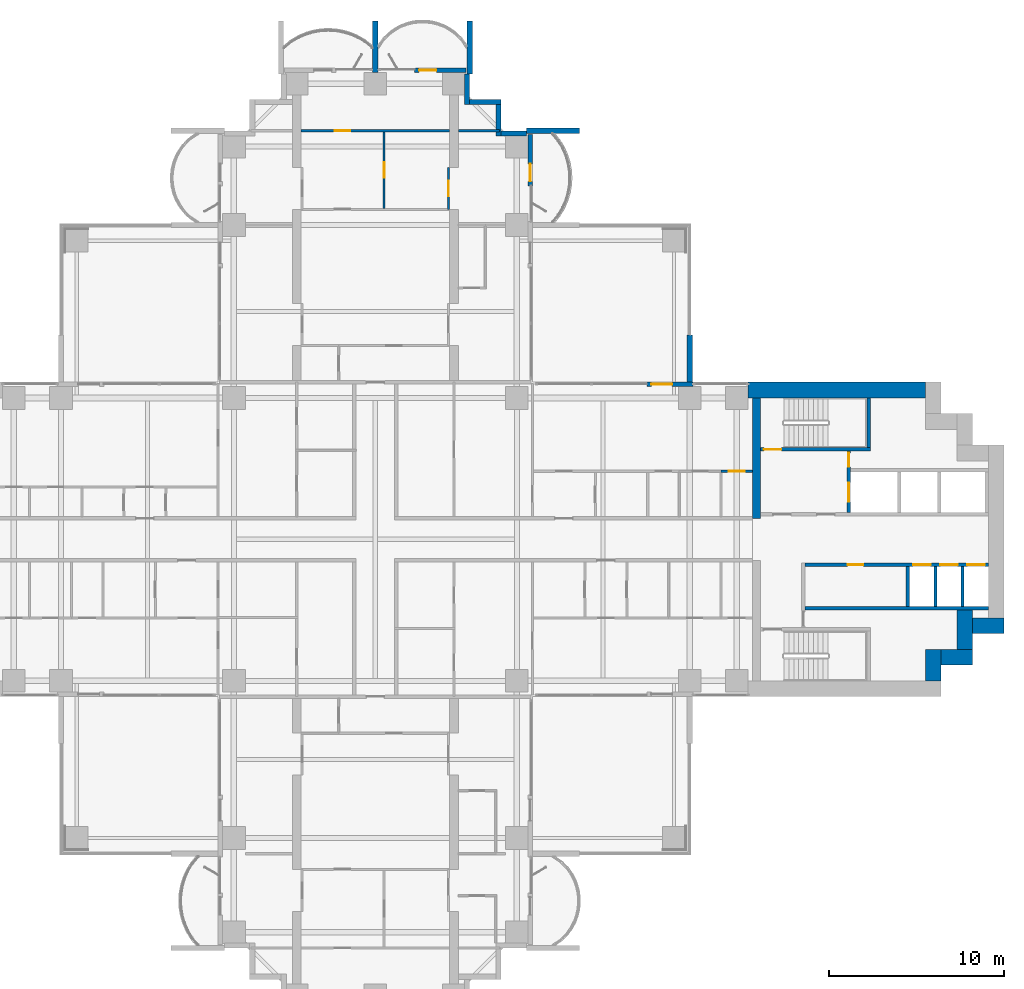
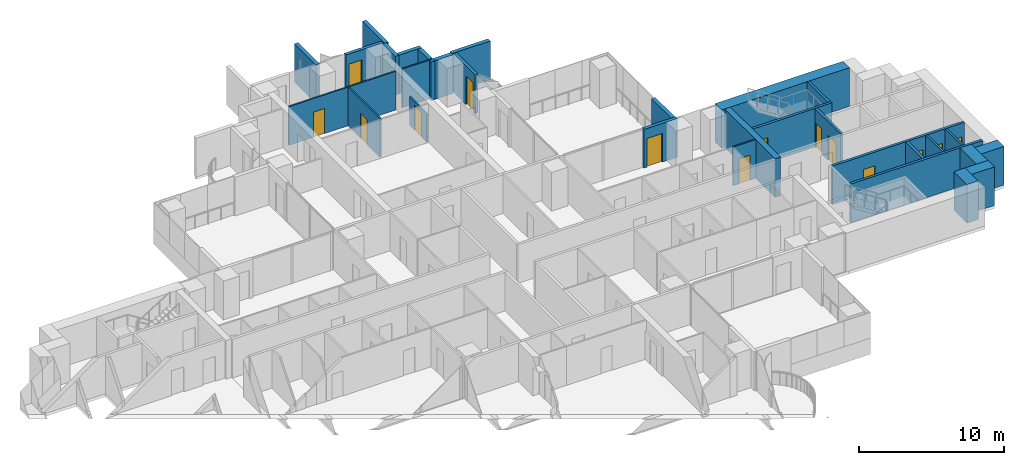
# One storey, part 15 of 21: 30 walls, 14 doors, 14 openings.
"""IFC4 building model written with IfcOpenShell, lengths in metres."""

from ifc_helpers import new_model, si_unit, direction, frame, frame_2d, origin, place, context, subcontext, project, spatial, rectangle, extrude, material, layer, layer_set, type_object, element, fill, save


model = new_model("IFC4")

# Units and contexts
model_context = context("Model", 3, precision=1e-05, world=origin(), true_north=direction((0.0, 1.0)))
body_context = subcontext(model_context, "Body", "Model", "MODEL_VIEW")
ifc_project = project(units=[si_unit("LENGTHUNIT", "METRE"), si_unit("AREAUNIT", "SQUARE_METRE"), si_unit("VOLUMEUNIT", "CUBIC_METRE"), si_unit("PLANEANGLEUNIT", "RADIAN"), si_unit("MASSUNIT", "GRAM", prefix="KILO")], contexts=[model_context])

# Site, building, storey
site_placement = place(None, origin())
site = spatial("IfcSite", under=ifc_project, at=site_placement, CompositionType="ELEMENT")
building_placement = place(site_placement, origin())
building = spatial("IfcBuilding", under=site, at=building_placement, Name="Perihelion Cross Residences", CompositionType="ELEMENT")
storey_placement = place(building_placement, frame((0.0, 0.0, 54.0)))
storey = spatial("IfcBuildingStorey", under=building, at=storey_placement, Name="L10", CompositionType="ELEMENT", Elevation=54.0)

# Wall, opening, door
ifc_material_1 = material(Name="Concrete C30/37, bronze-clad", Category="concrete")
ifc_layer_1 = layer(ifc_material_1, 0.25)
ifc_layer_set_1 = layer_set([ifc_layer_1], Name="Bronze-clad pier wall 250")
wall_type_1 = type_object("IfcWallType", Name="Bronze-clad pier wall 250", PredefinedType="SOLIDWALL", material=ifc_layer_set_1)
wall_1_placement = place(storey_placement, frame((18.199951171875, 8.875, 0.0), z_axis=(0.0, 0.0, 1.0), x_axis=(-1.0, 0.0, 0.0)))
wall_1 = element("IfcWall", 1, at=wall_1_placement, inside=storey, type_object=wall_type_1, Name="Wall FW1 L10 east side north bay 2 pier", PredefinedType="SOLIDWALL", context=body_context, shape_type="SweptSolid", body=[
    extrude(rectangle(XDim=2.64990234375, YDim=0.25, at=frame_2d((1.324951171875, 0.0))), origin(), (0.0, 0.0, 1.0), 3.25),
])
opening_1_placement = place(wall_1_placement, frame((1.199951171875, 0.0, 0.0)))
opening_1 = element("IfcOpeningElement", 2, at=opening_1_placement, cuts=wall_1, Name="Opening L10.E01", PredefinedType="OPENING", context=body_context, shape_type="SweptSolid", body=[
    extrude(rectangle(XDim=1.199951171875, YDim=2.39990234375, at=frame_2d((0.60009765625, 1.199951171875))), frame((0.0, 0.135009765625, 0.0), z_axis=(0.0, -1.0, 0.0), x_axis=(1.0, 0.0, 0.0)), (0.0, 0.0, 1.0), 0.27001953125),
])
ifc_material_2 = material(Name="Bronze anodised aluminium, glazed", Category="aluminium")
door_type_1 = type_object("IfcDoorType", Name="Balcony door 1200 x 2400", OperationType="NOTDEFINED", PredefinedType="DOOR", material=ifc_material_2)
door_1_placement = place(opening_1_placement, origin())
door_1 = element("IfcDoor", 3, at=door_1_placement, inside=storey, type_object=door_type_1, Name="Door L10.E01 east side north bay 2", OperationType="SINGLE_SWING_RIGHT", OverallHeight=2.39990234375, OverallWidth=1.199951171875, PredefinedType="DOOR", context=body_context, shape_type="SweptSolid", body=[
    extrude(rectangle(XDim=1.199951171875, YDim=2.39990234375, at=frame_2d((0.60009765625, 1.199951171875))), frame((0.0, 0.02490234375, 0.0), z_axis=(0.0, -1.0, 0.0), x_axis=(1.0, 0.0, 0.0)), (0.0, 0.0, 1.0), 0.050048828125),
])
fill(opening_1, door_1)

wall_2_placement = place(storey_placement, frame((8.875, 20.25, 0.0), z_axis=(0.0, 0.0, 1.0), x_axis=(0.0, 1.0, 0.0)))
wall_2 = element("IfcWall", 4, at=wall_2_placement, inside=storey, type_object=wall_type_1, Name="Wall FW1 L10 north side east bay 2 pier", PredefinedType="SOLIDWALL", context=body_context, shape_type="SweptSolid", body=[
    extrude(rectangle(XDim=2.949951171875, YDim=0.25, at=frame_2d((1.47509765625, 0.0))), origin(), (0.0, 0.0, 1.0), 3.25),
])
opening_2_placement = place(wall_2_placement, frame((0.25, 0.0, 0.0)))
opening_2 = element("IfcOpeningElement", 5, at=opening_2_placement, cuts=wall_2, Name="Opening L10.E03", PredefinedType="OPENING", context=body_context, shape_type="SweptSolid", body=[
    extrude(rectangle(XDim=1.0, YDim=2.39990234375, at=frame_2d((0.5, 1.199951171875))), frame((0.0, 0.135009765625, 0.0), z_axis=(0.0, -1.0, 0.0), x_axis=(1.0, 0.0, 0.0)), (0.0, 0.0, 1.0), 0.27001953125),
])
ifc_material_3 = material(Name="Bronze anodised aluminium, glazed", Category="aluminium")
door_type_2 = type_object("IfcDoorType", Name="Balcony door 1000 x 2400", OperationType="NOTDEFINED", PredefinedType="DOOR", material=ifc_material_3)
door_2_placement = place(opening_2_placement, origin())
door_2 = element("IfcDoor", 6, at=door_2_placement, inside=storey, type_object=door_type_2, Name="Door L10.E03 north side east bay 2", OperationType="SINGLE_SWING_RIGHT", OverallHeight=2.39990234375, OverallWidth=1.0, PredefinedType="DOOR", context=body_context, shape_type="SweptSolid", body=[
    extrude(rectangle(XDim=1.0, YDim=2.39990234375, at=frame_2d((0.5, 1.199951171875))), frame((0.0, 0.02490234375, 0.0), z_axis=(0.0, -1.0, 0.0), x_axis=(1.0, 0.0, 0.0)), (0.0, 0.0, 1.0), 0.050048828125),
])
fill(opening_2, door_2)

wall_3_placement = place(storey_placement, frame((5.199951171875, 26.875, 0.0), z_axis=(0.0, 0.0, 1.0), x_axis=(-1.0, 0.0, 0.0)))
wall_3 = element("IfcWall", 7, at=wall_3_placement, inside=storey, type_object=wall_type_1, Name="Wall FW1 L10 north tip north bay 1 pier", PredefinedType="SOLIDWALL", context=body_context, shape_type="SweptSolid", body=[
    extrude(rectangle(XDim=2.949951171875, YDim=0.25, at=frame_2d((1.47509765625, 0.0))), origin(), (0.0, 0.0, 1.0), 3.25),
])
opening_3_placement = place(wall_3_placement, frame((1.699951171875, 0.0, 0.0)))
opening_3 = element("IfcOpeningElement", 8, at=opening_3_placement, cuts=wall_3, Name="Opening L10.E04", PredefinedType="OPENING", context=body_context, shape_type="SweptSolid", body=[
    extrude(rectangle(XDim=1.0, YDim=2.39990234375, at=frame_2d((0.5, 1.199951171875))), frame((0.0, 0.135009765625, 0.0), z_axis=(0.0, -1.0, 0.0), x_axis=(1.0, 0.0, 0.0)), (0.0, 0.0, 1.0), 0.27001953125),
])
door_3_placement = place(opening_3_placement, origin())
door_3 = element("IfcDoor", 9, at=door_3_placement, inside=storey, type_object=door_type_2, Name="Door L10.E04 north tip north bay 1", OperationType="SINGLE_SWING_LEFT", OverallHeight=2.39990234375, OverallWidth=1.0, PredefinedType="DOOR", context=body_context, shape_type="SweptSolid", body=[
    extrude(rectangle(XDim=1.0, YDim=2.39990234375, at=frame_2d((0.5, 1.199951171875))), frame((0.0, 0.02490234375, 0.0), z_axis=(0.0, -1.0, 0.0), x_axis=(1.0, 0.0, 0.0)), (0.0, 0.0, 1.0), 0.050048828125),
])
fill(opening_3, door_3)

# Walls
ifc_material_4 = material(Name="Concrete C30/37, bronze-clad", Category="concrete")
ifc_layer_2 = layer(ifc_material_4, 0.300048828125)
ifc_layer_set_2 = layer_set([ifc_layer_2], Name="Bronze-clad serration wall 300")
wall_type_2 = type_object("IfcWallType", Name="Bronze-clad serration wall 300", PredefinedType="SOLIDWALL", material=ifc_layer_set_2)
wall_4_placement = place(storey_placement, frame((8.64990234375, 23.25, 0.0), z_axis=(0.0, 0.0, 1.0), x_axis=(-1.0, 0.0, 0.0)))
element("IfcWall", 10, at=wall_4_placement, inside=storey, type_object=wall_type_2, Name="Wall SR1 L10 north corner north-east 1", PredefinedType="SOLIDWALL", context=body_context, shape_type="SweptSolid", body=[
    extrude(rectangle(XDim=1.449951171875, YDim=0.300048828125, at=frame_2d((0.72509765625, 0.0))), origin(), (0.0, 0.0, 1.0), 3.25),
])
wall_5_placement = place(storey_placement, frame((7.050048828125, 23.10009765625, 0.0), z_axis=(0.0, 0.0, 1.0), x_axis=(0.0, 1.0, 0.0)))
element("IfcWall", 11, at=wall_5_placement, inside=storey, type_object=wall_type_2, Name="Wall SR1 L10 north corner north-east 2", PredefinedType="SOLIDWALL", context=body_context, shape_type="SweptSolid", body=[
    extrude(rectangle(XDim=1.7998046875, YDim=0.300048828125, at=frame_2d((0.89990234375, 0.0))), origin(), (0.0, 0.0, 1.0), 3.25),
])
wall_6_placement = place(storey_placement, frame((7.199951171875, 25.050048828125, 0.0), z_axis=(0.0, 0.0, 1.0), x_axis=(-1.0, 0.0, 0.0)))
element("IfcWall", 12, at=wall_6_placement, inside=storey, type_object=wall_type_2, Name="Wall SR1 L10 north corner north-east 3", PredefinedType="SOLIDWALL", context=body_context, shape_type="SweptSolid", body=[
    extrude(rectangle(XDim=1.800048828125, YDim=0.300048828125, at=frame_2d((0.89990234375, 0.0))), origin(), (0.0, 0.0, 1.0), 3.25),
])
wall_7_placement = place(storey_placement, frame((5.25, 24.89990234375, 0.0), z_axis=(0.0, 0.0, 1.0), x_axis=(0.0, 1.0, 0.0)))
element("IfcWall", 13, at=wall_7_placement, inside=storey, type_object=wall_type_2, Name="Wall SR1 L10 north corner north-east 4", PredefinedType="SOLIDWALL", context=body_context, shape_type="SweptSolid", body=[
    extrude(rectangle(XDim=1.75, YDim=0.300048828125, at=frame_2d((0.875, 0.0))), origin(), (0.0, 0.0, 1.0), 3.25),
])
ifc_material_5 = material(Name="Concrete C60/75", Category="concrete")
ifc_layer_3 = layer(ifc_material_5, 0.449951171875)
ifc_layer_set_3 = layer_set([ifc_layer_3], Name="Core wall, inner 450")
wall_type_3 = type_object("IfcWallType", Name="Core wall, inner 450", PredefinedType="SHEAR", material=ifc_layer_set_3)
wall_8_placement = place(storey_placement, frame((21.824951171875, 1.199951171875, 0.0), z_axis=(0.0, 0.0, 1.0), x_axis=(0.0, 1.0, 0.0)))
element("IfcWall", 14, at=wall_8_placement, inside=storey, type_object=wall_type_3, Name="East core core wall, inner", PredefinedType="SHEAR", context=body_context, shape_type="SweptSolid", body=[
    extrude(rectangle(XDim=6.900146484375, YDim=0.449951171875, at=frame_2d((3.4501953125, 0.0))), origin(), (0.0, 0.0, 1.0), 3.25),
])
ifc_material_6 = material(Name="Concrete C60/75", Category="concrete")
ifc_layer_4 = layer(ifc_material_6, 0.89990234375)
ifc_layer_set_4 = layer_set([ifc_layer_4], Name="Core wall, outer 900")
wall_type_4 = type_object("IfcWallType", Name="Core wall, outer 900", PredefinedType="SHEAR", material=ifc_layer_set_4)
for number, where, z_axis, x_axis, name in (
    (15, (31.949951171875, -8.10009765625, 0.0), (0.0, 0.0, 1.0), (0.0, 1.0, 0.0), "East core core wall, outer"),
    (16, (32.39990234375, -6.75, 0.0), (0.0, 0.0, 1.0), (1.0, 0.0, 0.0), "East core core wall, outer"),
):
    element("IfcWall", number, at=place(storey_placement, frame(where, z_axis=z_axis, x_axis=x_axis)), inside=storey, type_object=wall_type_4, Name=name, PredefinedType="SHEAR", context=body_context, shape_type="SweptSolid", body=[
        extrude(rectangle(XDim=1.800048828125, YDim=0.89990234375, at=frame_2d((0.89990234375, 0.0))), origin(), (0.0, 0.0, 1.0), 3.25),
    ])
wall_9_placement = place(storey_placement, frame((33.75, -6.300048828125, 0.0), z_axis=(0.0, 0.0, 1.0), x_axis=(0.0, 1.0, 0.0)))
element("IfcWall", 17, at=wall_9_placement, inside=storey, type_object=wall_type_4, Name="East core core wall, outer", PredefinedType="SHEAR", context=body_context, shape_type="SweptSolid", body=[
    extrude(rectangle(XDim=2.25, YDim=0.89990234375, at=frame_2d((1.125, 0.0))), origin(), (0.0, 0.0, 1.0), 3.25),
])
wall_10_placement = place(storey_placement, frame((34.199951171875, -4.949951171875, 0.0), z_axis=(0.0, 0.0, 1.0), x_axis=(1.0, 0.0, 0.0)))
element("IfcWall", 18, at=wall_10_placement, inside=storey, type_object=wall_type_4, Name="East core core wall, outer", PredefinedType="SHEAR", context=body_context, shape_type="SweptSolid", body=[
    extrude(rectangle(XDim=1.800048828125, YDim=0.89990234375, at=frame_2d((0.89990234375, 0.0))), origin(), (0.0, 0.0, 1.0), 3.25),
])
wall_11_placement = place(storey_placement, frame((21.35009765625, 8.550048828125, 0.0), z_axis=(0.0, 0.0, 1.0), x_axis=(1.0, 0.0, 0.0)))
element("IfcWall", 19, at=wall_11_placement, inside=storey, type_object=wall_type_4, Name="East core core wall, outer", PredefinedType="SHEAR", context=body_context, shape_type="SweptSolid", body=[
    extrude(rectangle(XDim=10.14990234375, YDim=0.89990234375, at=frame_2d((5.074951171875, 0.0))), origin(), (0.0, 0.0, 1.0), 3.25),
])

# Wall, opening, door
ifc_material_7 = material(Name="Plasterboard partition")
ifc_layer_5 = layer(ifc_material_7, 0.1201171875)
ifc_layer_set_5 = layer_set([ifc_layer_5], Name="Infill panel 120")
wall_type_5 = type_object("IfcWallType", Name="Infill panel 120", PredefinedType="PARTITIONING", material=ifc_layer_set_5)
wall_12_placement = place(storey_placement, frame((4.18994140625, 18.89990234375, 0.0), z_axis=(0.0, 0.0, 1.0), x_axis=(0.0, 1.0, 0.0)))
wall_12 = element("IfcWall", 20, at=wall_12_placement, inside=storey, type_object=wall_type_5, Name="Partition L10 WI02", PredefinedType="PARTITIONING", context=body_context, shape_type="SweptSolid", body=[
    extrude(rectangle(XDim=2.400146484375, YDim=0.1201171875, at=frame_2d((1.2001953125, 0.0))), origin(), (0.0, 0.0, 1.0), 2.39990234375),
])
opening_4_placement = place(wall_12_placement, frame((0.75, 0.0, 0.0)))
opening_4 = element("IfcOpeningElement", 21, at=opening_4_placement, cuts=wall_12, Name="Opening L10.A52", PredefinedType="OPENING", context=body_context, shape_type="SweptSolid", body=[
    extrude(rectangle(XDim=0.89990234375, YDim=2.10009765625, at=frame_2d((0.449951171875, 1.050048828125))), frame((0.0, 0.070068359375, 0.0), z_axis=(0.0, -1.0, 0.0), x_axis=(1.0, 0.0, 0.0)), (0.0, 0.0, 1.0), 0.14013671875),
])
ifc_material_8 = material(Name="Timber door leaf", Category="wood")
door_type_3 = type_object("IfcDoorType", Name="Interior room door 900 x 2100", OperationType="SINGLE_SWING_LEFT", PredefinedType="DOOR", material=ifc_material_8)
door_4_placement = place(opening_4_placement, origin())
door_4 = element("IfcDoor", 22, at=door_4_placement, inside=storey, type_object=door_type_3, Name="Door L10.A52", OperationType="SINGLE_SWING_RIGHT", OverallHeight=2.10009765625, OverallWidth=0.89990234375, PredefinedType="DOOR", context=body_context, shape_type="SweptSolid", body=[
    extrude(rectangle(XDim=0.89990234375, YDim=2.10009765625, at=frame_2d((0.449951171875, 1.050048828125))), frame((0.0, 0.02490234375, 0.0), z_axis=(0.0, -1.0, 0.0), x_axis=(1.0, 0.0, 0.0)), (0.0, 0.0, 1.0), 0.050048828125),
])
fill(opening_4, door_4)

ifc_material_9 = material(Name="Plasterboard partition")
ifc_layer_6 = layer(ifc_material_9, 0.1201171875)
ifc_layer_set_6 = layer_set([ifc_layer_6], Name="Partition wall 120")
wall_type_6 = type_object("IfcWallType", Name="Partition wall 120", PredefinedType="PARTITIONING", material=ifc_layer_set_6)
wall_13_placement = place(storey_placement, frame((19.800048828125, 3.89990234375, 0.0), z_axis=(0.0, 0.0, 1.0), x_axis=(1.0, 0.0, 0.0)))
wall_13 = element("IfcWall", 23, at=wall_13_placement, inside=storey, type_object=wall_type_6, Name="Partition L10 W018", PredefinedType="PARTITIONING", context=body_context, shape_type="SweptSolid", body=[
    extrude(rectangle(XDim=1.800048828125, YDim=0.1201171875, at=frame_2d((0.89990234375, 0.0))), origin(), (0.0, 0.0, 1.0), 3.25),
])
opening_5_placement = place(wall_13_placement, frame((0.449951171875, 0.0, 0.0)))
opening_5 = element("IfcOpeningElement", 24, at=opening_5_placement, cuts=wall_13, Name="Opening L10.A03", PredefinedType="OPENING", context=body_context, shape_type="SweptSolid", body=[
    extrude(rectangle(XDim=0.89990234375, YDim=2.10009765625, at=frame_2d((0.449951171875, 1.050048828125))), frame((0.0, 0.070068359375, 0.0), z_axis=(0.0, -1.0, 0.0), x_axis=(1.0, 0.0, 0.0)), (0.0, 0.0, 1.0), 0.14013671875),
])
door_5_placement = place(opening_5_placement, origin())
door_5 = element("IfcDoor", 25, at=door_5_placement, inside=storey, type_object=door_type_3, Name="Door L10.A03", OperationType="SINGLE_SWING_RIGHT", OverallHeight=2.10009765625, OverallWidth=0.89990234375, PredefinedType="DOOR", context=body_context, shape_type="SweptSolid", body=[
    extrude(rectangle(XDim=0.89990234375, YDim=2.10009765625, at=frame_2d((0.449951171875, 1.050048828125))), frame((0.0, 0.02490234375, 0.0), z_axis=(0.0, -1.0, 0.0), x_axis=(1.0, 0.0, 0.0)), (0.0, 0.0, 1.0), 0.050048828125),
])
fill(opening_5, door_5)

wall_14_placement = place(storey_placement, frame((0.5, 23.340087890625, 0.0), z_axis=(0.0, 0.0, 1.0), x_axis=(0.0, -1.0, 0.0)))
wall_14 = element("IfcWall", 26, at=wall_14_placement, inside=storey, type_object=wall_type_6, Name="Partition L10 W057", PredefinedType="PARTITIONING", context=body_context, shape_type="SweptSolid", body=[
    extrude(rectangle(XDim=4.380126953125, YDim=0.1201171875, at=frame_2d((2.18994140625, 0.0))), origin(), (0.0, 0.0, 1.0), 3.25),
])
opening_6_placement = place(wall_14_placement, frame((1.739990234375, 0.0, 0.0)))
opening_6 = element("IfcOpeningElement", 27, at=opening_6_placement, cuts=wall_14, Name="Opening L10.A36", PredefinedType="OPENING", context=body_context, shape_type="SweptSolid", body=[
    extrude(rectangle(XDim=0.89990234375, YDim=2.10009765625, at=frame_2d((0.449951171875, 1.050048828125))), frame((0.0, 0.070068359375, 0.0), z_axis=(0.0, -1.0, 0.0), x_axis=(1.0, 0.0, 0.0)), (0.0, 0.0, 1.0), 0.14013671875),
])
door_6_placement = place(opening_6_placement, origin())
door_6 = element("IfcDoor", 28, at=door_6_placement, inside=storey, type_object=door_type_3, Name="Door L10.A36", OperationType="SINGLE_SWING_LEFT", OverallHeight=2.10009765625, OverallWidth=0.89990234375, PredefinedType="DOOR", context=body_context, shape_type="SweptSolid", body=[
    extrude(rectangle(XDim=0.89990234375, YDim=2.10009765625, at=frame_2d((0.449951171875, 1.050048828125))), frame((0.0, 0.02490234375, 0.0), z_axis=(0.0, -1.0, 0.0), x_axis=(1.0, 0.0, 0.0)), (0.0, 0.0, 1.0), 0.050048828125),
])
fill(opening_6, door_6)

wall_15_placement = place(storey_placement, frame((-4.25, 23.39990234375, 0.0), z_axis=(0.0, 0.0, 1.0), x_axis=(1.0, 0.0, 0.0)))
wall_15 = element("IfcWall", 29, at=wall_15_placement, inside=storey, type_object=wall_type_6, Name="Partition L10 W058", PredefinedType="PARTITIONING", context=body_context, shape_type="SweptSolid", body=[
    extrude(rectangle(XDim=8.5, YDim=0.1201171875, at=frame_2d((4.25, 0.0))), origin(), (0.0, 0.0, 1.0), 3.25),
])
opening_7_placement = place(wall_15_placement, frame((1.925048828125, 0.0, 0.0)))
opening_7 = element("IfcOpeningElement", 30, at=opening_7_placement, cuts=wall_15, Name="Opening L10.A37", PredefinedType="OPENING", context=body_context, shape_type="SweptSolid", body=[
    extrude(rectangle(XDim=0.89990234375, YDim=2.10009765625, at=frame_2d((0.449951171875, 1.050048828125))), frame((0.0, 0.070068359375, 0.0), z_axis=(0.0, -1.0, 0.0), x_axis=(1.0, 0.0, 0.0)), (0.0, 0.0, 1.0), 0.14013671875),
])
door_7_placement = place(opening_7_placement, origin())
door_7 = element("IfcDoor", 31, at=door_7_placement, inside=storey, type_object=door_type_3, Name="Door L10.A37", OperationType="SINGLE_SWING_LEFT", OverallHeight=2.10009765625, OverallWidth=0.89990234375, PredefinedType="DOOR", context=body_context, shape_type="SweptSolid", body=[
    extrude(rectangle(XDim=0.89990234375, YDim=2.10009765625, at=frame_2d((0.449951171875, 1.050048828125))), frame((0.0, 0.02490234375, 0.0), z_axis=(0.0, -1.0, 0.0), x_axis=(1.0, 0.0, 0.0)), (0.0, 0.0, 1.0), 0.050048828125),
])
fill(opening_7, door_7)

# Walls
wall_16_placement = place(storey_placement, frame((4.75, 23.39990234375, 0.0), z_axis=(0.0, 0.0, 1.0), x_axis=(1.0, 0.0, 0.0)))
element("IfcWall", 32, at=wall_16_placement, inside=storey, type_object=wall_type_6, Name="Partition L10 W063", PredefinedType="PARTITIONING", context=body_context, shape_type="SweptSolid", body=[
    extrude(rectangle(XDim=2.3701171875, YDim=0.1201171875, at=frame_2d((1.18505859375, 0.0))), origin(), (0.0, 0.0, 1.0), 3.25),
])
ifc_material_10 = material(Name="Precast concrete C50/60", Category="concrete")
ifc_layer_7 = layer(ifc_material_10, 0.300048828125)
ifc_layer_set_7 = layer_set([ifc_layer_7], Name="Precast concrete C50/60 blade wall 300")
wall_type_7 = type_object("IfcWallType", Name="Precast concrete C50/60 blade wall 300", PredefinedType="SOLIDWALL", material=ifc_layer_set_7)
wall_17_placement = place(storey_placement, frame((0.0, 26.75, 0.0), z_axis=(0.0, 0.0, 1.0), x_axis=(0.0, 1.0, 0.0)))
element("IfcWall", 33, at=wall_17_placement, inside=storey, type_object=wall_type_7, Name="Wall BL1 L10 no. 10", PredefinedType="SOLIDWALL", context=body_context, shape_type="SweptSolid", body=[
    extrude(rectangle(XDim=2.949951171875, YDim=0.300048828125, at=frame_2d((1.47509765625, 0.0))), origin(), (0.0, 0.0, 1.0), 3.25),
])
for number, where, z_axis, x_axis, name in (
    (34, (5.39990234375, 26.64990234375, 0.0), (0.0, 0.0, 1.0), (0.0, 1.0, 0.0), "Wall BL1 L10 no. 14"),
    (35, (8.64990234375, 23.39990234375, 0.0), (0.0, 0.0, 1.0), (1.0, 0.0, 0.0), "Wall BL1 L10 no. 18"),
):
    element("IfcWall", number, at=place(storey_placement, frame(where, z_axis=z_axis, x_axis=x_axis)), inside=storey, type_object=wall_type_7, Name=name, PredefinedType="SOLIDWALL", context=body_context, shape_type="SweptSolid", body=[
        extrude(rectangle(XDim=3.050048828125, YDim=0.300048828125, at=frame_2d((1.52490234375, 0.0))), origin(), (0.0, 0.0, 1.0), 3.25),
    ])
wall_18_placement = place(storey_placement, frame((18.0, 8.75, 0.0), z_axis=(0.0, 0.0, 1.0), x_axis=(0.0, 1.0, 0.0)))
element("IfcWall", 36, at=wall_18_placement, inside=storey, type_object=wall_type_7, Name="Wall BL1 L10 no. 12", PredefinedType="SOLIDWALL", context=body_context, shape_type="SweptSolid", body=[
    extrude(rectangle(XDim=2.949951171875, YDim=0.300048828125, at=frame_2d((1.47509765625, 0.0))), origin(), (0.0, 0.0, 1.0), 3.25),
])
ifc_material_11 = material(Name="Concrete C50/60", Category="concrete")
ifc_layer_8 = layer(ifc_material_11, 0.14990234375)
ifc_layer_set_8 = layer_set([ifc_layer_8], Name="Shaft wall 150")
wall_type_8 = type_object("IfcWallType", Name="Shaft wall 150", PredefinedType="SOLIDWALL", material=ifc_layer_set_8)
for number, where, z_axis, x_axis, name in (
    (37, (32.074951171875, -3.85009765625, 0.0), (0.0, 0.0, 1.0), (0.0, 1.0, 0.0), "East core shaft wall"),
    (38, (33.625, -3.85009765625, 0.0), (0.0, 0.0, 1.0), (0.0, 1.0, 0.0), "East core shaft wall"),
):
    element("IfcWall", number, at=place(storey_placement, frame(where, z_axis=z_axis, x_axis=x_axis)), inside=storey, type_object=wall_type_8, Name=name, PredefinedType="SOLIDWALL", context=body_context, shape_type="SweptSolid", body=[
        extrude(rectangle(XDim=2.300048828125, YDim=0.14990234375, at=frame_2d((1.14990234375, 0.0))), origin(), (0.0, 0.0, 1.0), 3.25),
    ])

# Wall, openings, doors
ifc_material_12 = material(Name="Concrete C50/60", Category="concrete")
ifc_layer_9 = layer(ifc_material_12, 0.199951171875)
ifc_layer_set_9 = layer_set([ifc_layer_9], Name="Shaft wall 200")
wall_type_9 = type_object("IfcWallType", Name="Shaft wall 200", PredefinedType="SOLIDWALL", material=ifc_layer_set_9)
wall_19_placement = place(storey_placement, frame((24.60009765625, -1.449951171875, 0.0), z_axis=(0.0, 0.0, 1.0), x_axis=(1.0, 0.0, 0.0)))
wall_19 = element("IfcWall", 39, at=wall_19_placement, inside=storey, type_object=wall_type_9, Name="East core shaft wall", PredefinedType="SOLIDWALL", context=body_context, shape_type="SweptSolid", body=[
    extrude(rectangle(XDim=10.5, YDim=0.199951171875, at=frame_2d((5.25, 0.0))), origin(), (0.0, 0.0, 1.0), 3.25),
])
opening_8_placement = place(wall_19_placement, frame((6.199951171875, 0.0, 0.0)))
opening_8 = element("IfcOpeningElement", 40, at=opening_8_placement, cuts=wall_19, Name="Opening L10.C02", PredefinedType="OPENING", context=body_context, shape_type="SweptSolid", body=[
    extrude(rectangle(XDim=1.0, YDim=2.10009765625, at=frame_2d((0.5, 1.050048828125))), frame((0.0, 0.10986328125, 0.0), z_axis=(0.0, -1.0, 0.0), x_axis=(1.0, 0.0, 0.0)), (0.0, 0.0, 1.0), 0.219970703125),
])
opening_9_placement = place(wall_19_placement, frame((7.75, 0.0, 0.0)))
opening_9 = element("IfcOpeningElement", 41, at=opening_9_placement, cuts=wall_19, Name="Opening L10.C03", PredefinedType="OPENING", context=body_context, shape_type="SweptSolid", body=[
    extrude(rectangle(XDim=1.0, YDim=2.10009765625, at=frame_2d((0.5, 1.050048828125))), frame((0.0, 0.10986328125, 0.0), z_axis=(0.0, -1.0, 0.0), x_axis=(1.0, 0.0, 0.0)), (0.0, 0.0, 1.0), 0.219970703125),
])
opening_10_placement = place(wall_19_placement, frame((9.300048828125, 0.0, 0.0)))
opening_10 = element("IfcOpeningElement", 42, at=opening_10_placement, cuts=wall_19, Name="Opening L10.C04", PredefinedType="OPENING", context=body_context, shape_type="SweptSolid", body=[
    extrude(rectangle(XDim=1.0, YDim=2.10009765625, at=frame_2d((0.5, 1.050048828125))), frame((0.0, 0.10986328125, 0.0), z_axis=(0.0, -1.0, 0.0), x_axis=(1.0, 0.0, 0.0)), (0.0, 0.0, 1.0), 0.219970703125),
])
opening_11_placement = place(wall_19_placement, frame((2.449951171875, 0.0, 0.0)))
opening_11 = element("IfcOpeningElement", 43, at=opening_11_placement, cuts=wall_19, Name="Opening L10.C11", PredefinedType="OPENING", context=body_context, shape_type="SweptSolid", body=[
    extrude(rectangle(XDim=0.89990234375, YDim=2.10009765625, at=frame_2d((0.449951171875, 1.050048828125))), frame((0.0, 0.10986328125, 0.0), z_axis=(0.0, -1.0, 0.0), x_axis=(1.0, 0.0, 0.0)), (0.0, 0.0, 1.0), 0.219970703125),
])
ifc_material_13 = material(Name="Stainless steel", Category="steel")
door_type_4 = type_object("IfcDoorType", Name="Landing door 1000", OperationType="DOUBLE_DOOR_SLIDING", PredefinedType="DOOR", material=ifc_material_13)
door_8_placement = place(opening_8_placement, origin())
door_8 = element("IfcDoor", 44, at=door_8_placement, inside=storey, type_object=door_type_4, Name="Landing door, East core low-rise lift 1", OperationType="DOUBLE_DOOR_SLIDING", OverallHeight=2.10009765625, OverallWidth=1.0, PredefinedType="DOOR", context=body_context, shape_type="SweptSolid", body=[
    extrude(rectangle(XDim=1.0, YDim=2.10009765625, at=frame_2d((0.5, 1.050048828125))), frame((0.0, 0.02490234375, 0.0), z_axis=(0.0, -1.0, 0.0), x_axis=(1.0, 0.0, 0.0)), (0.0, 0.0, 1.0), 0.050048828125),
])
fill(opening_8, door_8)
door_9_placement = place(opening_9_placement, origin())
door_9 = element("IfcDoor", 45, at=door_9_placement, inside=storey, type_object=door_type_4, Name="Landing door, East core low-rise lift 2", OperationType="DOUBLE_DOOR_SLIDING", OverallHeight=2.10009765625, OverallWidth=1.0, PredefinedType="DOOR", context=body_context, shape_type="SweptSolid", body=[
    extrude(rectangle(XDim=1.0, YDim=2.10009765625, at=frame_2d((0.5, 1.050048828125))), frame((0.0, 0.02490234375, 0.0), z_axis=(0.0, -1.0, 0.0), x_axis=(1.0, 0.0, 0.0)), (0.0, 0.0, 1.0), 0.050048828125),
])
fill(opening_9, door_9)
door_10_placement = place(opening_10_placement, origin())
door_10 = element("IfcDoor", 46, at=door_10_placement, inside=storey, type_object=door_type_4, Name="Landing door, East core low-rise lift 3", OperationType="DOUBLE_DOOR_SLIDING", OverallHeight=2.10009765625, OverallWidth=1.0, PredefinedType="DOOR", context=body_context, shape_type="SweptSolid", body=[
    extrude(rectangle(XDim=1.0, YDim=2.10009765625, at=frame_2d((0.5, 1.050048828125))), frame((0.0, 0.02490234375, 0.0), z_axis=(0.0, -1.0, 0.0), x_axis=(1.0, 0.0, 0.0)), (0.0, 0.0, 1.0), 0.050048828125),
])
fill(opening_10, door_10)
ifc_material_14 = material(Name="Steel, powder coated", Category="steel")
door_type_5 = type_object("IfcDoorType", Name="Service room door 900", OperationType="SINGLE_SWING_LEFT", PredefinedType="DOOR", material=ifc_material_14)
door_11_placement = place(opening_11_placement, origin())
door_11 = element("IfcDoor", 47, at=door_11_placement, inside=storey, type_object=door_type_5, Name="East core service room door", OperationType="SINGLE_SWING_LEFT", OverallHeight=2.10009765625, OverallWidth=0.89990234375, PredefinedType="DOOR", context=body_context, shape_type="SweptSolid", body=[
    extrude(rectangle(XDim=0.89990234375, YDim=2.10009765625, at=frame_2d((0.449951171875, 1.050048828125))), frame((0.0, 0.02490234375, 0.0), z_axis=(0.0, -1.0, 0.0), x_axis=(1.0, 0.0, 0.0)), (0.0, 0.0, 1.0), 0.050048828125),
])
fill(opening_11, door_11)

# Wall
wall_20_placement = place(storey_placement, frame((24.60009765625, -3.949951171875, 0.0), z_axis=(0.0, 0.0, 1.0), x_axis=(1.0, 0.0, 0.0)))
element("IfcWall", 48, at=wall_20_placement, inside=storey, type_object=wall_type_9, Name="East core shaft wall", PredefinedType="SOLIDWALL", context=body_context, shape_type="SweptSolid", body=[
    extrude(rectangle(XDim=10.5, YDim=0.199951171875, at=frame_2d((5.25, 0.0))), origin(), (0.0, 0.0, 1.0), 3.25),
])

# Wall, openings, doors
wall_21_placement = place(storey_placement, frame((27.10009765625, 1.550048828125, 0.0), z_axis=(0.0, 0.0, 1.0), x_axis=(0.0, 1.0, 0.0)))
wall_21 = element("IfcWall", 49, at=wall_21_placement, inside=storey, type_object=wall_type_9, Name="East core shaft wall", PredefinedType="SOLIDWALL", context=body_context, shape_type="SweptSolid", body=[
    extrude(rectangle(XDim=3.5, YDim=0.199951171875, at=frame_2d((1.75, 0.0))), origin(), (0.0, 0.0, 1.0), 3.25),
])
opening_12_placement = place(wall_21_placement, frame((0.60009765625, 0.0, 0.0)))
opening_12 = element("IfcOpeningElement", 50, at=opening_12_placement, cuts=wall_21, Name="Opening L10.C01", PredefinedType="OPENING", context=body_context, shape_type="SweptSolid", body=[
    extrude(rectangle(XDim=1.10009765625, YDim=2.10009765625, at=frame_2d((0.550048828125, 1.050048828125))), frame((0.0, 0.10986328125, 0.0), z_axis=(0.0, -1.0, 0.0), x_axis=(1.0, 0.0, 0.0)), (0.0, 0.0, 1.0), 0.219970703125),
])
opening_13_placement = place(wall_21_placement, frame((2.60009765625, 0.0, 0.0)))
opening_13 = element("IfcOpeningElement", 51, at=opening_13_placement, cuts=wall_21, Name="Opening L10.C10", PredefinedType="OPENING", context=body_context, shape_type="SweptSolid", body=[
    extrude(rectangle(XDim=0.800048828125, YDim=2.10009765625, at=frame_2d((0.39990234375, 1.050048828125))), frame((0.0, 0.10986328125, 0.0), z_axis=(0.0, -1.0, 0.0), x_axis=(1.0, 0.0, 0.0)), (0.0, 0.0, 1.0), 0.219970703125),
])
ifc_material_15 = material(Name="Stainless steel", Category="steel")
door_type_6 = type_object("IfcDoorType", Name="Landing door, firefighting lift 1100", OperationType="DOUBLE_DOOR_SLIDING", PredefinedType="DOOR", material=ifc_material_15)
door_12_placement = place(opening_12_placement, origin())
door_12 = element("IfcDoor", 52, at=door_12_placement, inside=storey, type_object=door_type_6, Name="Landing door, East core firefighting and service lift", OperationType="DOUBLE_DOOR_SLIDING", OverallHeight=2.10009765625, OverallWidth=1.10009765625, PredefinedType="DOOR", context=body_context, shape_type="SweptSolid", body=[
    extrude(rectangle(XDim=1.10009765625, YDim=2.10009765625, at=frame_2d((0.550048828125, 1.050048828125))), frame((0.0, 0.02490234375, 0.0), z_axis=(0.0, -1.0, 0.0), x_axis=(1.0, 0.0, 0.0)), (0.0, 0.0, 1.0), 0.050048828125),
])
fill(opening_12, door_12)
ifc_material_16 = material(Name="Steel, powder coated", Category="steel")
door_type_7 = type_object("IfcDoorType", Name="Riser door 800", OperationType="SINGLE_SWING_LEFT", PredefinedType="DOOR", material=ifc_material_16)
door_13_placement = place(opening_13_placement, origin())
door_13 = element("IfcDoor", 53, at=door_13_placement, inside=storey, type_object=door_type_7, Name="East core riser door", OperationType="SINGLE_SWING_LEFT", OverallHeight=2.10009765625, OverallWidth=0.800048828125, PredefinedType="DOOR", context=body_context, shape_type="SweptSolid", body=[
    extrude(rectangle(XDim=0.800048828125, YDim=2.10009765625, at=frame_2d((0.39990234375, 1.050048828125))), frame((0.0, 0.02490234375, 0.0), z_axis=(0.0, -1.0, 0.0), x_axis=(1.0, 0.0, 0.0)), (0.0, 0.0, 1.0), 0.050048828125),
])
fill(opening_13, door_13)

# Wall
wall_22_placement = place(storey_placement, frame((30.5, -3.85009765625, 0.0), z_axis=(0.0, 0.0, 1.0), x_axis=(0.0, 1.0, 0.0)))
element("IfcWall", 54, at=wall_22_placement, inside=storey, type_object=wall_type_9, Name="East core shaft wall", PredefinedType="SOLIDWALL", context=body_context, shape_type="SweptSolid", body=[
    extrude(rectangle(XDim=2.300048828125, YDim=0.199951171875, at=frame_2d((1.14990234375, 0.0))), origin(), (0.0, 0.0, 1.0), 3.25),
])

# Wall, opening, door
ifc_material_17 = material(Name="Concrete C50/60", Category="concrete")
ifc_layer_10 = layer(ifc_material_17, 0.199951171875)
ifc_layer_set_10 = layer_set([ifc_layer_10], Name="Stair wall 200")
wall_type_10 = type_object("IfcWallType", Name="Stair wall 200", PredefinedType="SOLIDWALL", material=ifc_layer_set_10)
wall_23_placement = place(storey_placement, frame((22.050048828125, 5.14990234375, 0.0), z_axis=(0.0, 0.0, 1.0), x_axis=(1.0, 0.0, 0.0)))
wall_23 = element("IfcWall", 55, at=wall_23_placement, inside=storey, type_object=wall_type_10, Name="East core stair wall", PredefinedType="SOLIDWALL", context=body_context, shape_type="SweptSolid", body=[
    extrude(rectangle(XDim=6.300048828125, YDim=0.199951171875, at=frame_2d((3.14990234375, 0.0))), origin(), (0.0, 0.0, 1.0), 3.25),
])
opening_14_placement = place(wall_23_placement, frame((0.199951171875, 0.0, 0.0)))
opening_14 = element("IfcOpeningElement", 56, at=opening_14_placement, cuts=wall_23, Name="Opening L10.C06", PredefinedType="OPENING", context=body_context, shape_type="SweptSolid", body=[
    extrude(rectangle(XDim=1.0, YDim=2.10009765625, at=frame_2d((0.5, 1.050048828125))), frame((0.0, 0.10986328125, 0.0), z_axis=(0.0, -1.0, 0.0), x_axis=(1.0, 0.0, 0.0)), (0.0, 0.0, 1.0), 0.219970703125),
])
ifc_material_18 = material(Name="Steel, powder coated", Category="steel")
door_type_8 = type_object("IfcDoorType", Name="Stair door 1000", OperationType="SINGLE_SWING_LEFT", PredefinedType="DOOR", material=ifc_material_18)
door_14_placement = place(opening_14_placement, origin())
door_14 = element("IfcDoor", 57, at=door_14_placement, inside=storey, type_object=door_type_8, Name="East core stair door", OperationType="SINGLE_SWING_LEFT", OverallHeight=2.10009765625, OverallWidth=1.0, PredefinedType="DOOR", context=body_context, shape_type="SweptSolid", body=[
    extrude(rectangle(XDim=1.0, YDim=2.10009765625, at=frame_2d((0.5, 1.050048828125))), frame((0.0, 0.02490234375, 0.0), z_axis=(0.0, -1.0, 0.0), x_axis=(1.0, 0.0, 0.0)), (0.0, 0.0, 1.0), 0.050048828125),
])
fill(opening_14, door_14)

# Wall
wall_24_placement = place(storey_placement, frame((28.25, 5.25, 0.0), z_axis=(0.0, 0.0, 1.0), x_axis=(0.0, 1.0, 0.0)))
element("IfcWall", 58, at=wall_24_placement, inside=storey, type_object=wall_type_10, Name="East core stair wall", PredefinedType="SOLIDWALL", context=body_context, shape_type="SweptSolid", body=[
    extrude(rectangle(XDim=2.85009765625, YDim=0.199951171875, at=frame_2d((1.425048828125, 0.0))), origin(), (0.0, 0.0, 1.0), 3.25),
])

save(model, "model.ifc")
